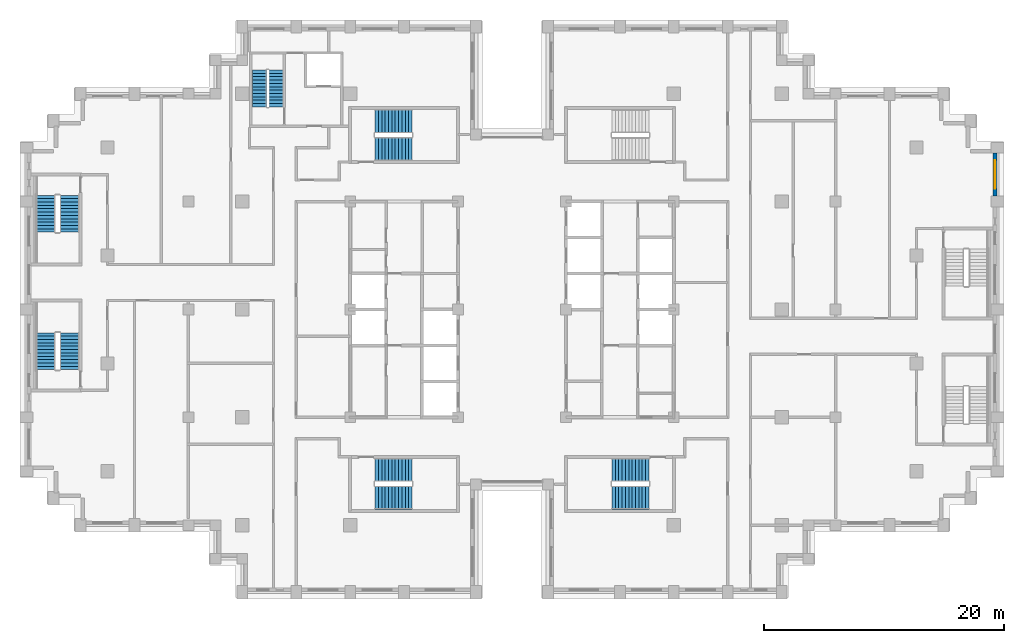
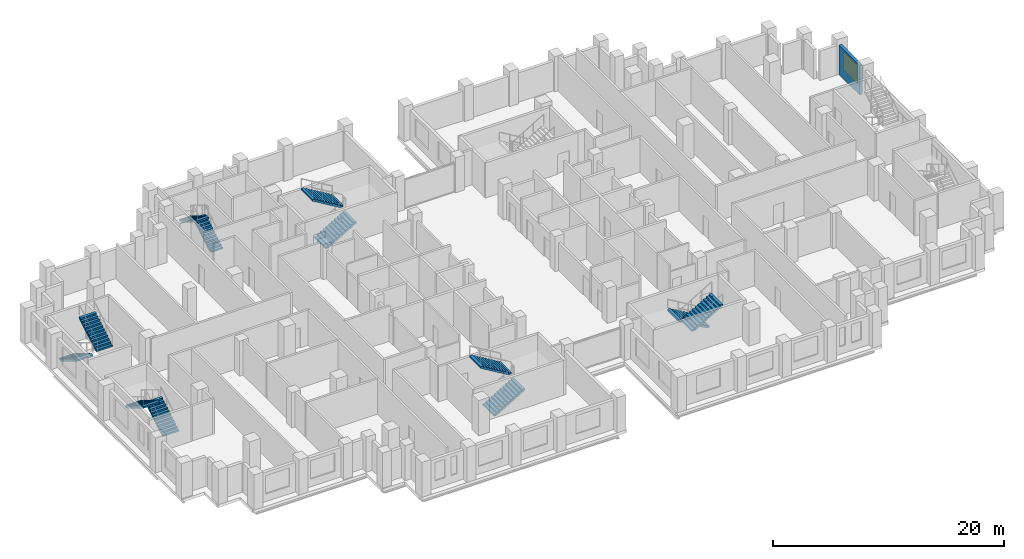
# One storey, part 13 of 16: 12 stair flights, 1 wall, 1 window, 1 opening, 6 elements without a shape of their own.
"""IFC4 building model written with IfcOpenShell, lengths in metres."""

from ifc_helpers import new_model, si_unit, direction, frame, frame_2d, origin, place, context, subcontext, project, spatial, polyline, rectangle, outline, extrude, material, layer, layer_set, type_object, element, fill, aggregate, save


model = new_model("IFC4")

# Units and contexts
model_context = context("Model", 3, precision=1e-05, world=origin(), true_north=direction((0.0, 1.0)))
body_context = subcontext(model_context, "Body", "Model", "MODEL_VIEW")
ifc_project = project(units=[si_unit("LENGTHUNIT", "METRE"), si_unit("AREAUNIT", "SQUARE_METRE"), si_unit("VOLUMEUNIT", "CUBIC_METRE"), si_unit("PLANEANGLEUNIT", "RADIAN"), si_unit("MASSUNIT", "GRAM", prefix="KILO")], contexts=[model_context])

# Site, building, storey
site_placement = place(None, origin())
site = spatial("IfcSite", under=ifc_project, at=site_placement, CompositionType="ELEMENT")
building_placement = place(site_placement, origin())
building = spatial("IfcBuilding", under=site, at=building_placement, Name="Corbelhall Arena Tower", CompositionType="ELEMENT")
storey_placement = place(building_placement, frame((0.0, 0.0, 150.0)))
storey = spatial("IfcBuildingStorey", under=building, at=storey_placement, Name="L29", CompositionType="ELEMENT", Elevation=150.0)

# Wall, opening, window
ifc_material_1 = material(Name="Precast concrete C40/50 with granite facing", Category="masonry")
ifc_layer = layer(ifc_material_1, 0.300048828125)
ifc_layer_set = layer_set([ifc_layer], Name="EV-IW1 Infill panel 300")
wall_type = type_object("IfcWallType", Name="EV-IW1 Infill panel 300", PredefinedType="SOLIDWALL", material=ifc_layer_set)
wall_placement = place(storey_placement, frame((40.300048828125, 9.449951171875, 0.0), z_axis=(0.0, 0.0, 1.0), x_axis=(0.0, 1.0, 0.0)))
wall = element("IfcWall", 1, at=wall_placement, inside=storey, type_object=wall_type, Name="Infill panel IW1", PredefinedType="SOLIDWALL", context=body_context, shape_type="SweptSolid", body=[
    extrude(rectangle(XDim=3.60009765625, YDim=0.300048828125, at=frame_2d((1.800048828125, 0.0))), origin(), (0.0, 0.0, 1.0), 3.10009765625),
])
opening_placement = place(wall_placement, frame((0.60009765625, 0.0, 0.800048828125)))
opening = element("IfcOpeningElement", 2, at=opening_placement, cuts=wall, Name="Opening WN1", PredefinedType="OPENING", context=body_context, shape_type="SweptSolid", body=[
    extrude(rectangle(XDim=2.39990234375, YDim=1.949951171875, at=frame_2d((1.199951171875, 0.97509765625))), frame((0.0, 0.14990234375, 0.0), z_axis=(0.0, -1.0, 0.0), x_axis=(1.0, 0.0, 0.0)), (0.0, 0.0, 1.0), 0.300048828125),
])
ifc_material_2 = material(Name="Aluminium black anodised", Category="aluminium")
window_type = type_object("IfcWindowType", Name="EV-WN1 Office window", PartitioningType="SINGLE_PANEL", PredefinedType="WINDOW", material=ifc_material_2)
window_placement = place(opening_placement, origin())
window = element("IfcWindow", 3, at=window_placement, inside=storey, type_object=window_type, Name="Window WN1", OverallHeight=1.949951171875, OverallWidth=2.39990234375, PartitioningType="SINGLE_PANEL", PredefinedType="WINDOW", context=body_context, shape_type="SweptSolid", body=[
    extrude(rectangle(XDim=2.39990234375, YDim=1.949951171875, at=frame_2d((1.199951171875, 0.97509765625))), frame((0.0, 0.030029296875, 0.0), z_axis=(0.0, -1.0, 0.0), x_axis=(1.0, 0.0, 0.0)), (0.0, 0.0, 1.0), 0.06005859375),
])
fill(opening, window)

# Stair, stair flights
ifc_material_3 = material(Name="Concrete C40/50", Category="concrete")
stair_type = type_object("IfcStairType", Name="IN-ST-TOWER", PredefinedType="HALF_TURN_STAIR", material=ifc_material_3)
stair_1_placement = place(storey_placement, origin())
stair_1 = element("IfcStair", 4, at=stair_1_placement, inside=storey, type_object=stair_type, Name="L29 Exit stair ST1", PredefinedType="HALF_TURN_STAIR")
stair_flight_type = type_object("IfcStairFlightType", Name="IN-SFL-RC", PredefinedType="STRAIGHT", material=ifc_material_3)
stair_flight_1_placement = place(storey_placement, frame((-11.425048828125, 13.39990234375, 0.0), z_axis=(0.0, 0.0, 1.0), x_axis=(1.0, 0.0, 0.0)))
stair_flight_1 = element("IfcStairFlight", 5, at=stair_flight_1_placement, type_object=stair_flight_type, Name="ST1 flight 1", NumberOfRisers=12, NumberOfTreads=11, PredefinedType="STRAIGHT", RiserHeight=0.166666667, TreadLength=0.28, context=body_context, shape_type="SweptSolid", body=[
    extrude(outline(polyline([(0.0, 0.0), (0.0, 0.166748046875), (0.280029296875, 0.166748046875), (0.280029296875, 0.333251953125), (0.56005859375, 0.333251953125), (0.56005859375, 0.5), (0.840087890625, 0.5), (0.840087890625, 0.666748046875), (1.1201171875, 0.666748046875), (1.1201171875, 0.833251953125), (1.39990234375, 0.833251953125), (1.39990234375, 1.0), (1.679931640625, 1.0), (1.679931640625, 1.166748046875), (1.9599609375, 1.166748046875), (1.9599609375, 1.333251953125), (2.239990234375, 1.333251953125), (2.239990234375, 1.5), (2.52001953125, 1.5), (2.52001953125, 1.666748046875), (2.800048828125, 1.666748046875), (2.800048828125, 1.833251953125), (3.080078125, 1.833251953125), (3.080078125, 2.0), (3.080078125, 1.658935546875), (0.29296875, 0.0), (0.0, 0.0)])), frame((0.0, 0.97509765625, 0.0), z_axis=(0.0, -1.0, 0.0), x_axis=(1.0, 0.0, 0.0)), (0.0, 0.0, 1.0), 0.449951171875),
    extrude(outline(polyline([(0.0, 0.0), (0.0, 0.166748046875), (0.280029296875, 0.166748046875), (0.280029296875, 0.333251953125), (0.56005859375, 0.333251953125), (0.56005859375, 0.5), (0.840087890625, 0.5), (0.840087890625, 0.666748046875), (1.1201171875, 0.666748046875), (1.1201171875, 0.833251953125), (1.39990234375, 0.833251953125), (1.39990234375, 1.0), (1.679931640625, 1.0), (1.679931640625, 1.166748046875), (1.9599609375, 1.166748046875), (1.9599609375, 1.333251953125), (2.239990234375, 1.333251953125), (2.239990234375, 1.5), (2.52001953125, 1.5), (2.52001953125, 1.666748046875), (2.800048828125, 1.666748046875), (2.800048828125, 1.833251953125), (3.080078125, 1.833251953125), (3.080078125, 2.0), (3.080078125, 1.658935546875), (0.29296875, 0.0), (0.0, 0.0)])), frame((0.0, 0.52099609375, 0.0), z_axis=(0.0, -1.0, 0.0), x_axis=(1.0, 0.0, 0.0)), (0.0, 0.0, 1.0), 1.0419921875),
    extrude(outline(polyline([(0.0, 0.0), (0.0, 0.166748046875), (0.280029296875, 0.166748046875), (0.280029296875, 0.333251953125), (0.56005859375, 0.333251953125), (0.56005859375, 0.5), (0.840087890625, 0.5), (0.840087890625, 0.666748046875), (1.1201171875, 0.666748046875), (1.1201171875, 0.833251953125), (1.39990234375, 0.833251953125), (1.39990234375, 1.0), (1.679931640625, 1.0), (1.679931640625, 1.166748046875), (1.9599609375, 1.166748046875), (1.9599609375, 1.333251953125), (2.239990234375, 1.333251953125), (2.239990234375, 1.5), (2.52001953125, 1.5), (2.52001953125, 1.666748046875), (2.800048828125, 1.666748046875), (2.800048828125, 1.833251953125), (3.080078125, 1.833251953125), (3.080078125, 2.0), (3.080078125, 1.658935546875), (0.29296875, 0.0), (0.0, 0.0)])), frame((0.0, -0.52490234375, 0.0), z_axis=(0.0, -1.0, 0.0), x_axis=(1.0, 0.0, 0.0)), (0.0, 0.0, 1.0), 0.449951171875),
])
stair_flight_2_placement = place(storey_placement, frame((-8.344970703125, 15.699951171875, 2.0), z_axis=(0.0, 0.0, 1.0), x_axis=(-1.0, 0.0, 0.0)))
stair_flight_2 = element("IfcStairFlight", 6, at=stair_flight_2_placement, type_object=stair_flight_type, Name="ST1 flight 2", NumberOfRisers=12, NumberOfTreads=11, PredefinedType="STRAIGHT", RiserHeight=0.166666667, TreadLength=0.28, context=body_context, shape_type="SweptSolid", body=[
    extrude(outline(polyline([(0.0, 0.0), (0.0, 0.166748046875), (0.280029296875, 0.166748046875), (0.280029296875, 0.333251953125), (0.56005859375, 0.333251953125), (0.56005859375, 0.5), (0.840087890625, 0.5), (0.840087890625, 0.666748046875), (1.1201171875, 0.666748046875), (1.1201171875, 0.833251953125), (1.39990234375, 0.833251953125), (1.39990234375, 1.0), (1.679931640625, 1.0), (1.679931640625, 1.166748046875), (1.9599609375, 1.166748046875), (1.9599609375, 1.333251953125), (2.239990234375, 1.333251953125), (2.239990234375, 1.5), (2.52001953125, 1.5), (2.52001953125, 1.666748046875), (2.800048828125, 1.666748046875), (2.800048828125, 1.833251953125), (3.080078125, 1.833251953125), (3.080078125, 2.0), (3.080078125, 1.658935546875), (0.29296875, 0.0), (0.0, 0.0)])), frame((0.0, 0.97509765625, 0.0), z_axis=(0.0, -1.0, 0.0), x_axis=(1.0, 0.0, 0.0)), (0.0, 0.0, 1.0), 0.449951171875),
    extrude(outline(polyline([(0.0, 0.0), (0.0, 0.166748046875), (0.280029296875, 0.166748046875), (0.280029296875, 0.333251953125), (0.56005859375, 0.333251953125), (0.56005859375, 0.5), (0.840087890625, 0.5), (0.840087890625, 0.666748046875), (1.1201171875, 0.666748046875), (1.1201171875, 0.833251953125), (1.39990234375, 0.833251953125), (1.39990234375, 1.0), (1.679931640625, 1.0), (1.679931640625, 1.166748046875), (1.9599609375, 1.166748046875), (1.9599609375, 1.333251953125), (2.239990234375, 1.333251953125), (2.239990234375, 1.5), (2.52001953125, 1.5), (2.52001953125, 1.666748046875), (2.800048828125, 1.666748046875), (2.800048828125, 1.833251953125), (3.080078125, 1.833251953125), (3.080078125, 2.0), (3.080078125, 1.658935546875), (0.29296875, 0.0), (0.0, 0.0)])), frame((0.0, 0.52099609375, 0.0), z_axis=(0.0, -1.0, 0.0), x_axis=(1.0, 0.0, 0.0)), (0.0, 0.0, 1.0), 1.0419921875),
    extrude(outline(polyline([(0.0, 0.0), (0.0, 0.166748046875), (0.280029296875, 0.166748046875), (0.280029296875, 0.333251953125), (0.56005859375, 0.333251953125), (0.56005859375, 0.5), (0.840087890625, 0.5), (0.840087890625, 0.666748046875), (1.1201171875, 0.666748046875), (1.1201171875, 0.833251953125), (1.39990234375, 0.833251953125), (1.39990234375, 1.0), (1.679931640625, 1.0), (1.679931640625, 1.166748046875), (1.9599609375, 1.166748046875), (1.9599609375, 1.333251953125), (2.239990234375, 1.333251953125), (2.239990234375, 1.5), (2.52001953125, 1.5), (2.52001953125, 1.666748046875), (2.800048828125, 1.666748046875), (2.800048828125, 1.833251953125), (3.080078125, 1.833251953125), (3.080078125, 2.0), (3.080078125, 1.658935546875), (0.29296875, 0.0), (0.0, 0.0)])), frame((0.0, -0.52490234375, 0.0), z_axis=(0.0, -1.0, 0.0), x_axis=(1.0, 0.0, 0.0)), (0.0, 0.0, 1.0), 0.449951171875),
])
aggregate(stair_1, [stair_flight_1, stair_flight_2])

stair_2_placement = place(storey_placement, origin())
stair_2 = element("IfcStair", 7, at=stair_2_placement, inside=storey, type_object=stair_type, Name="L29 Exit stair ST2", PredefinedType="HALF_TURN_STAIR")
stair_flight_3_placement = place(storey_placement, frame((-11.425048828125, -15.699951171875, 0.0), z_axis=(0.0, 0.0, 1.0), x_axis=(1.0, 0.0, 0.0)))
stair_flight_3 = element("IfcStairFlight", 8, at=stair_flight_3_placement, type_object=stair_flight_type, Name="ST2 flight 1", NumberOfRisers=12, NumberOfTreads=11, PredefinedType="STRAIGHT", RiserHeight=0.166666667, TreadLength=0.28, context=body_context, shape_type="SweptSolid", body=[
    extrude(outline(polyline([(0.0, 0.0), (0.0, 0.166748046875), (0.280029296875, 0.166748046875), (0.280029296875, 0.333251953125), (0.56005859375, 0.333251953125), (0.56005859375, 0.5), (0.840087890625, 0.5), (0.840087890625, 0.666748046875), (1.1201171875, 0.666748046875), (1.1201171875, 0.833251953125), (1.39990234375, 0.833251953125), (1.39990234375, 1.0), (1.679931640625, 1.0), (1.679931640625, 1.166748046875), (1.9599609375, 1.166748046875), (1.9599609375, 1.333251953125), (2.239990234375, 1.333251953125), (2.239990234375, 1.5), (2.52001953125, 1.5), (2.52001953125, 1.666748046875), (2.800048828125, 1.666748046875), (2.800048828125, 1.833251953125), (3.080078125, 1.833251953125), (3.080078125, 2.0), (3.080078125, 1.658935546875), (0.29296875, 0.0), (0.0, 0.0)])), frame((0.0, 0.97509765625, 0.0), z_axis=(0.0, -1.0, 0.0), x_axis=(1.0, 0.0, 0.0)), (0.0, 0.0, 1.0), 0.449951171875),
    extrude(outline(polyline([(0.0, 0.0), (0.0, 0.166748046875), (0.280029296875, 0.166748046875), (0.280029296875, 0.333251953125), (0.56005859375, 0.333251953125), (0.56005859375, 0.5), (0.840087890625, 0.5), (0.840087890625, 0.666748046875), (1.1201171875, 0.666748046875), (1.1201171875, 0.833251953125), (1.39990234375, 0.833251953125), (1.39990234375, 1.0), (1.679931640625, 1.0), (1.679931640625, 1.166748046875), (1.9599609375, 1.166748046875), (1.9599609375, 1.333251953125), (2.239990234375, 1.333251953125), (2.239990234375, 1.5), (2.52001953125, 1.5), (2.52001953125, 1.666748046875), (2.800048828125, 1.666748046875), (2.800048828125, 1.833251953125), (3.080078125, 1.833251953125), (3.080078125, 2.0), (3.080078125, 1.658935546875), (0.29296875, 0.0), (0.0, 0.0)])), frame((0.0, 0.52099609375, 0.0), z_axis=(0.0, -1.0, 0.0), x_axis=(1.0, 0.0, 0.0)), (0.0, 0.0, 1.0), 1.0419921875),
    extrude(outline(polyline([(0.0, 0.0), (0.0, 0.166748046875), (0.280029296875, 0.166748046875), (0.280029296875, 0.333251953125), (0.56005859375, 0.333251953125), (0.56005859375, 0.5), (0.840087890625, 0.5), (0.840087890625, 0.666748046875), (1.1201171875, 0.666748046875), (1.1201171875, 0.833251953125), (1.39990234375, 0.833251953125), (1.39990234375, 1.0), (1.679931640625, 1.0), (1.679931640625, 1.166748046875), (1.9599609375, 1.166748046875), (1.9599609375, 1.333251953125), (2.239990234375, 1.333251953125), (2.239990234375, 1.5), (2.52001953125, 1.5), (2.52001953125, 1.666748046875), (2.800048828125, 1.666748046875), (2.800048828125, 1.833251953125), (3.080078125, 1.833251953125), (3.080078125, 2.0), (3.080078125, 1.658935546875), (0.29296875, 0.0), (0.0, 0.0)])), frame((0.0, -0.52490234375, 0.0), z_axis=(0.0, -1.0, 0.0), x_axis=(1.0, 0.0, 0.0)), (0.0, 0.0, 1.0), 0.449951171875),
])
stair_flight_4_placement = place(storey_placement, frame((-8.344970703125, -13.39990234375, 2.0), z_axis=(0.0, 0.0, 1.0), x_axis=(-1.0, 0.0, 0.0)))
stair_flight_4 = element("IfcStairFlight", 9, at=stair_flight_4_placement, type_object=stair_flight_type, Name="ST2 flight 2", NumberOfRisers=12, NumberOfTreads=11, PredefinedType="STRAIGHT", RiserHeight=0.166666667, TreadLength=0.28, context=body_context, shape_type="SweptSolid", body=[
    extrude(outline(polyline([(0.0, 0.0), (0.0, 0.166748046875), (0.280029296875, 0.166748046875), (0.280029296875, 0.333251953125), (0.56005859375, 0.333251953125), (0.56005859375, 0.5), (0.840087890625, 0.5), (0.840087890625, 0.666748046875), (1.1201171875, 0.666748046875), (1.1201171875, 0.833251953125), (1.39990234375, 0.833251953125), (1.39990234375, 1.0), (1.679931640625, 1.0), (1.679931640625, 1.166748046875), (1.9599609375, 1.166748046875), (1.9599609375, 1.333251953125), (2.239990234375, 1.333251953125), (2.239990234375, 1.5), (2.52001953125, 1.5), (2.52001953125, 1.666748046875), (2.800048828125, 1.666748046875), (2.800048828125, 1.833251953125), (3.080078125, 1.833251953125), (3.080078125, 2.0), (3.080078125, 1.658935546875), (0.29296875, 0.0), (0.0, 0.0)])), frame((0.0, 0.97509765625, 0.0), z_axis=(0.0, -1.0, 0.0), x_axis=(1.0, 0.0, 0.0)), (0.0, 0.0, 1.0), 0.449951171875),
    extrude(outline(polyline([(0.0, 0.0), (0.0, 0.166748046875), (0.280029296875, 0.166748046875), (0.280029296875, 0.333251953125), (0.56005859375, 0.333251953125), (0.56005859375, 0.5), (0.840087890625, 0.5), (0.840087890625, 0.666748046875), (1.1201171875, 0.666748046875), (1.1201171875, 0.833251953125), (1.39990234375, 0.833251953125), (1.39990234375, 1.0), (1.679931640625, 1.0), (1.679931640625, 1.166748046875), (1.9599609375, 1.166748046875), (1.9599609375, 1.333251953125), (2.239990234375, 1.333251953125), (2.239990234375, 1.5), (2.52001953125, 1.5), (2.52001953125, 1.666748046875), (2.800048828125, 1.666748046875), (2.800048828125, 1.833251953125), (3.080078125, 1.833251953125), (3.080078125, 2.0), (3.080078125, 1.658935546875), (0.29296875, 0.0), (0.0, 0.0)])), frame((0.0, 0.52099609375, 0.0), z_axis=(0.0, -1.0, 0.0), x_axis=(1.0, 0.0, 0.0)), (0.0, 0.0, 1.0), 1.0419921875),
    extrude(outline(polyline([(0.0, 0.0), (0.0, 0.166748046875), (0.280029296875, 0.166748046875), (0.280029296875, 0.333251953125), (0.56005859375, 0.333251953125), (0.56005859375, 0.5), (0.840087890625, 0.5), (0.840087890625, 0.666748046875), (1.1201171875, 0.666748046875), (1.1201171875, 0.833251953125), (1.39990234375, 0.833251953125), (1.39990234375, 1.0), (1.679931640625, 1.0), (1.679931640625, 1.166748046875), (1.9599609375, 1.166748046875), (1.9599609375, 1.333251953125), (2.239990234375, 1.333251953125), (2.239990234375, 1.5), (2.52001953125, 1.5), (2.52001953125, 1.666748046875), (2.800048828125, 1.666748046875), (2.800048828125, 1.833251953125), (3.080078125, 1.833251953125), (3.080078125, 2.0), (3.080078125, 1.658935546875), (0.29296875, 0.0), (0.0, 0.0)])), frame((0.0, -0.52490234375, 0.0), z_axis=(0.0, -1.0, 0.0), x_axis=(1.0, 0.0, 0.0)), (0.0, 0.0, 1.0), 0.449951171875),
])
aggregate(stair_2, [stair_flight_3, stair_flight_4])

stair_3_placement = place(storey_placement, origin())
stair_3 = element("IfcStair", 10, at=stair_3_placement, inside=storey, type_object=stair_type, Name="L29 Exit stair ST4", PredefinedType="HALF_TURN_STAIR")
stair_flight_5_placement = place(storey_placement, frame((11.425048828125, -13.39990234375, 0.0), z_axis=(0.0, 0.0, 1.0), x_axis=(-1.0, 0.0, 0.0)))
stair_flight_5 = element("IfcStairFlight", 11, at=stair_flight_5_placement, type_object=stair_flight_type, Name="ST4 flight 1", NumberOfRisers=12, NumberOfTreads=11, PredefinedType="STRAIGHT", RiserHeight=0.166666667, TreadLength=0.28, context=body_context, shape_type="SweptSolid", body=[
    extrude(outline(polyline([(0.0, 0.0), (0.0, 0.166748046875), (0.280029296875, 0.166748046875), (0.280029296875, 0.333251953125), (0.56005859375, 0.333251953125), (0.56005859375, 0.5), (0.840087890625, 0.5), (0.840087890625, 0.666748046875), (1.1201171875, 0.666748046875), (1.1201171875, 0.833251953125), (1.39990234375, 0.833251953125), (1.39990234375, 1.0), (1.679931640625, 1.0), (1.679931640625, 1.166748046875), (1.9599609375, 1.166748046875), (1.9599609375, 1.333251953125), (2.239990234375, 1.333251953125), (2.239990234375, 1.5), (2.52001953125, 1.5), (2.52001953125, 1.666748046875), (2.800048828125, 1.666748046875), (2.800048828125, 1.833251953125), (3.080078125, 1.833251953125), (3.080078125, 2.0), (3.080078125, 1.658935546875), (0.29296875, 0.0), (0.0, 0.0)])), frame((0.0, 0.97509765625, 0.0), z_axis=(0.0, -1.0, 0.0), x_axis=(1.0, 0.0, 0.0)), (0.0, 0.0, 1.0), 0.449951171875),
    extrude(outline(polyline([(0.0, 0.0), (0.0, 0.166748046875), (0.280029296875, 0.166748046875), (0.280029296875, 0.333251953125), (0.56005859375, 0.333251953125), (0.56005859375, 0.5), (0.840087890625, 0.5), (0.840087890625, 0.666748046875), (1.1201171875, 0.666748046875), (1.1201171875, 0.833251953125), (1.39990234375, 0.833251953125), (1.39990234375, 1.0), (1.679931640625, 1.0), (1.679931640625, 1.166748046875), (1.9599609375, 1.166748046875), (1.9599609375, 1.333251953125), (2.239990234375, 1.333251953125), (2.239990234375, 1.5), (2.52001953125, 1.5), (2.52001953125, 1.666748046875), (2.800048828125, 1.666748046875), (2.800048828125, 1.833251953125), (3.080078125, 1.833251953125), (3.080078125, 2.0), (3.080078125, 1.658935546875), (0.29296875, 0.0), (0.0, 0.0)])), frame((0.0, 0.52099609375, 0.0), z_axis=(0.0, -1.0, 0.0), x_axis=(1.0, 0.0, 0.0)), (0.0, 0.0, 1.0), 1.0419921875),
    extrude(outline(polyline([(0.0, 0.0), (0.0, 0.166748046875), (0.280029296875, 0.166748046875), (0.280029296875, 0.333251953125), (0.56005859375, 0.333251953125), (0.56005859375, 0.5), (0.840087890625, 0.5), (0.840087890625, 0.666748046875), (1.1201171875, 0.666748046875), (1.1201171875, 0.833251953125), (1.39990234375, 0.833251953125), (1.39990234375, 1.0), (1.679931640625, 1.0), (1.679931640625, 1.166748046875), (1.9599609375, 1.166748046875), (1.9599609375, 1.333251953125), (2.239990234375, 1.333251953125), (2.239990234375, 1.5), (2.52001953125, 1.5), (2.52001953125, 1.666748046875), (2.800048828125, 1.666748046875), (2.800048828125, 1.833251953125), (3.080078125, 1.833251953125), (3.080078125, 2.0), (3.080078125, 1.658935546875), (0.29296875, 0.0), (0.0, 0.0)])), frame((0.0, -0.52490234375, 0.0), z_axis=(0.0, -1.0, 0.0), x_axis=(1.0, 0.0, 0.0)), (0.0, 0.0, 1.0), 0.449951171875),
])
stair_flight_6_placement = place(storey_placement, frame((8.344970703125, -15.699951171875, 2.0), z_axis=(0.0, 0.0, 1.0), x_axis=(1.0, 0.0, 0.0)))
stair_flight_6 = element("IfcStairFlight", 12, at=stair_flight_6_placement, type_object=stair_flight_type, Name="ST4 flight 2", NumberOfRisers=12, NumberOfTreads=11, PredefinedType="STRAIGHT", RiserHeight=0.166666667, TreadLength=0.28, context=body_context, shape_type="SweptSolid", body=[
    extrude(outline(polyline([(0.0, 0.0), (0.0, 0.166748046875), (0.280029296875, 0.166748046875), (0.280029296875, 0.333251953125), (0.56005859375, 0.333251953125), (0.56005859375, 0.5), (0.840087890625, 0.5), (0.840087890625, 0.666748046875), (1.1201171875, 0.666748046875), (1.1201171875, 0.833251953125), (1.39990234375, 0.833251953125), (1.39990234375, 1.0), (1.679931640625, 1.0), (1.679931640625, 1.166748046875), (1.9599609375, 1.166748046875), (1.9599609375, 1.333251953125), (2.239990234375, 1.333251953125), (2.239990234375, 1.5), (2.52001953125, 1.5), (2.52001953125, 1.666748046875), (2.800048828125, 1.666748046875), (2.800048828125, 1.833251953125), (3.080078125, 1.833251953125), (3.080078125, 2.0), (3.080078125, 1.658935546875), (0.29296875, 0.0), (0.0, 0.0)])), frame((0.0, 0.97509765625, 0.0), z_axis=(0.0, -1.0, 0.0), x_axis=(1.0, 0.0, 0.0)), (0.0, 0.0, 1.0), 0.449951171875),
    extrude(outline(polyline([(0.0, 0.0), (0.0, 0.166748046875), (0.280029296875, 0.166748046875), (0.280029296875, 0.333251953125), (0.56005859375, 0.333251953125), (0.56005859375, 0.5), (0.840087890625, 0.5), (0.840087890625, 0.666748046875), (1.1201171875, 0.666748046875), (1.1201171875, 0.833251953125), (1.39990234375, 0.833251953125), (1.39990234375, 1.0), (1.679931640625, 1.0), (1.679931640625, 1.166748046875), (1.9599609375, 1.166748046875), (1.9599609375, 1.333251953125), (2.239990234375, 1.333251953125), (2.239990234375, 1.5), (2.52001953125, 1.5), (2.52001953125, 1.666748046875), (2.800048828125, 1.666748046875), (2.800048828125, 1.833251953125), (3.080078125, 1.833251953125), (3.080078125, 2.0), (3.080078125, 1.658935546875), (0.29296875, 0.0), (0.0, 0.0)])), frame((0.0, 0.52099609375, 0.0), z_axis=(0.0, -1.0, 0.0), x_axis=(1.0, 0.0, 0.0)), (0.0, 0.0, 1.0), 1.0419921875),
    extrude(outline(polyline([(0.0, 0.0), (0.0, 0.166748046875), (0.280029296875, 0.166748046875), (0.280029296875, 0.333251953125), (0.56005859375, 0.333251953125), (0.56005859375, 0.5), (0.840087890625, 0.5), (0.840087890625, 0.666748046875), (1.1201171875, 0.666748046875), (1.1201171875, 0.833251953125), (1.39990234375, 0.833251953125), (1.39990234375, 1.0), (1.679931640625, 1.0), (1.679931640625, 1.166748046875), (1.9599609375, 1.166748046875), (1.9599609375, 1.333251953125), (2.239990234375, 1.333251953125), (2.239990234375, 1.5), (2.52001953125, 1.5), (2.52001953125, 1.666748046875), (2.800048828125, 1.666748046875), (2.800048828125, 1.833251953125), (3.080078125, 1.833251953125), (3.080078125, 2.0), (3.080078125, 1.658935546875), (0.29296875, 0.0), (0.0, 0.0)])), frame((0.0, -0.52490234375, 0.0), z_axis=(0.0, -1.0, 0.0), x_axis=(1.0, 0.0, 0.0)), (0.0, 0.0, 1.0), 0.449951171875),
])
aggregate(stair_3, [stair_flight_5, stair_flight_6])

stair_4_placement = place(storey_placement, origin())
stair_4 = element("IfcStair", 13, at=stair_4_placement, inside=storey, type_object=stair_type, Name="L29 Exit stair SC1", PredefinedType="HALF_TURN_STAIR")
stair_flight_7_placement = place(storey_placement, frame((-38.89990234375, 9.52490234375, 0.0), z_axis=(0.0, 0.0, 1.0), x_axis=(0.0, -1.0, 0.0)))
stair_flight_7 = element("IfcStairFlight", 14, at=stair_flight_7_placement, type_object=stair_flight_type, Name="SC1 flight 1", NumberOfRisers=12, NumberOfTreads=11, PredefinedType="STRAIGHT", RiserHeight=0.166666667, TreadLength=0.28, context=body_context, shape_type="SweptSolid", body=[
    extrude(outline(polyline([(0.0, 0.0), (0.0, 0.166748046875), (0.280029296875, 0.166748046875), (0.280029296875, 0.333251953125), (0.56005859375, 0.333251953125), (0.56005859375, 0.5), (0.840087890625, 0.5), (0.840087890625, 0.666748046875), (1.1201171875, 0.666748046875), (1.1201171875, 0.833251953125), (1.39990234375, 0.833251953125), (1.39990234375, 1.0), (1.679931640625, 1.0), (1.679931640625, 1.166748046875), (1.9599609375, 1.166748046875), (1.9599609375, 1.333251953125), (2.239990234375, 1.333251953125), (2.239990234375, 1.5), (2.52001953125, 1.5), (2.52001953125, 1.666748046875), (2.800048828125, 1.666748046875), (2.800048828125, 1.833251953125), (3.080078125, 1.833251953125), (3.080078125, 2.0), (3.080078125, 1.658935546875), (0.29296875, 0.0), (0.0, 0.0)])), frame((0.0, 0.800048828125, 0.0), z_axis=(0.0, -1.0, 0.0), x_axis=(1.0, 0.0, 0.0)), (0.0, 0.0, 1.0), 1.60009765625),
])
stair_flight_8_placement = place(storey_placement, frame((-36.925048828125, 6.445068359375, 2.0), z_axis=(0.0, 0.0, 1.0), x_axis=(0.0, 1.0, 0.0)))
stair_flight_8 = element("IfcStairFlight", 15, at=stair_flight_8_placement, type_object=stair_flight_type, Name="SC1 flight 2", NumberOfRisers=12, NumberOfTreads=11, PredefinedType="STRAIGHT", RiserHeight=0.166666667, TreadLength=0.28, context=body_context, shape_type="SweptSolid", body=[
    extrude(outline(polyline([(0.0, 0.0), (0.0, 0.166748046875), (0.280029296875, 0.166748046875), (0.280029296875, 0.333251953125), (0.56005859375, 0.333251953125), (0.56005859375, 0.5), (0.840087890625, 0.5), (0.840087890625, 0.666748046875), (1.1201171875, 0.666748046875), (1.1201171875, 0.833251953125), (1.39990234375, 0.833251953125), (1.39990234375, 1.0), (1.679931640625, 1.0), (1.679931640625, 1.166748046875), (1.9599609375, 1.166748046875), (1.9599609375, 1.333251953125), (2.239990234375, 1.333251953125), (2.239990234375, 1.5), (2.52001953125, 1.5), (2.52001953125, 1.666748046875), (2.800048828125, 1.666748046875), (2.800048828125, 1.833251953125), (3.080078125, 1.833251953125), (3.080078125, 2.0), (3.080078125, 1.658935546875), (0.29296875, 0.0), (0.0, 0.0)])), frame((0.0, 0.800048828125, 0.0), z_axis=(0.0, -1.0, 0.0), x_axis=(1.0, 0.0, 0.0)), (0.0, 0.0, 1.0), 1.60009765625),
])
aggregate(stair_4, [stair_flight_7, stair_flight_8])

stair_5_placement = place(storey_placement, origin())
stair_5 = element("IfcStair", 16, at=stair_5_placement, inside=storey, type_object=stair_type, Name="L29 Exit stair SC2", PredefinedType="HALF_TURN_STAIR")
stair_flight_9_placement = place(storey_placement, frame((-36.925048828125, -5.02490234375, 0.0), z_axis=(0.0, 0.0, 1.0), x_axis=(0.0, 1.0, 0.0)))
stair_flight_9 = element("IfcStairFlight", 17, at=stair_flight_9_placement, type_object=stair_flight_type, Name="SC2 flight 1", NumberOfRisers=12, NumberOfTreads=11, PredefinedType="STRAIGHT", RiserHeight=0.166666667, TreadLength=0.28, context=body_context, shape_type="SweptSolid", body=[
    extrude(outline(polyline([(0.0, 0.0), (0.0, 0.166748046875), (0.280029296875, 0.166748046875), (0.280029296875, 0.333251953125), (0.56005859375, 0.333251953125), (0.56005859375, 0.5), (0.840087890625, 0.5), (0.840087890625, 0.666748046875), (1.1201171875, 0.666748046875), (1.1201171875, 0.833251953125), (1.39990234375, 0.833251953125), (1.39990234375, 1.0), (1.679931640625, 1.0), (1.679931640625, 1.166748046875), (1.9599609375, 1.166748046875), (1.9599609375, 1.333251953125), (2.239990234375, 1.333251953125), (2.239990234375, 1.5), (2.52001953125, 1.5), (2.52001953125, 1.666748046875), (2.800048828125, 1.666748046875), (2.800048828125, 1.833251953125), (3.080078125, 1.833251953125), (3.080078125, 2.0), (3.080078125, 1.658935546875), (0.29296875, 0.0), (0.0, 0.0)])), frame((0.0, 0.800048828125, 0.0), z_axis=(0.0, -1.0, 0.0), x_axis=(1.0, 0.0, 0.0)), (0.0, 0.0, 1.0), 1.60009765625),
])
stair_flight_10_placement = place(storey_placement, frame((-38.89990234375, -1.945068359375, 2.0), z_axis=(0.0, 0.0, 1.0), x_axis=(0.0, -1.0, 0.0)))
stair_flight_10 = element("IfcStairFlight", 18, at=stair_flight_10_placement, type_object=stair_flight_type, Name="SC2 flight 2", NumberOfRisers=12, NumberOfTreads=11, PredefinedType="STRAIGHT", RiserHeight=0.166666667, TreadLength=0.28, context=body_context, shape_type="SweptSolid", body=[
    extrude(outline(polyline([(0.0, 0.0), (0.0, 0.166748046875), (0.280029296875, 0.166748046875), (0.280029296875, 0.333251953125), (0.56005859375, 0.333251953125), (0.56005859375, 0.5), (0.840087890625, 0.5), (0.840087890625, 0.666748046875), (1.1201171875, 0.666748046875), (1.1201171875, 0.833251953125), (1.39990234375, 0.833251953125), (1.39990234375, 1.0), (1.679931640625, 1.0), (1.679931640625, 1.166748046875), (1.9599609375, 1.166748046875), (1.9599609375, 1.333251953125), (2.239990234375, 1.333251953125), (2.239990234375, 1.5), (2.52001953125, 1.5), (2.52001953125, 1.666748046875), (2.800048828125, 1.666748046875), (2.800048828125, 1.833251953125), (3.080078125, 1.833251953125), (3.080078125, 2.0), (3.080078125, 1.658935546875), (0.29296875, 0.0), (0.0, 0.0)])), frame((0.0, 0.800048828125, 0.0), z_axis=(0.0, -1.0, 0.0), x_axis=(1.0, 0.0, 0.0)), (0.0, 0.0, 1.0), 1.60009765625),
])
aggregate(stair_5, [stair_flight_9, stair_flight_10])

stair_6_placement = place(storey_placement, origin())
stair_6 = element("IfcStair", 19, at=stair_6_placement, inside=storey, type_object=stair_type, Name="L29 Exit stair ST5", PredefinedType="HALF_TURN_STAIR")
stair_flight_11_placement = place(storey_placement, frame((-19.695068359375, 16.89990234375, 0.0), z_axis=(0.0, 0.0, 1.0), x_axis=(0.0, 1.0, 0.0)))
stair_flight_11 = element("IfcStairFlight", 20, at=stair_flight_11_placement, type_object=stair_flight_type, Name="ST5 flight 1", NumberOfRisers=12, NumberOfTreads=11, PredefinedType="STRAIGHT", RiserHeight=0.166666667, TreadLength=0.28, context=body_context, shape_type="SweptSolid", body=[
    extrude(outline(polyline([(0.0, 0.0), (0.0, 0.166748046875), (0.280029296875, 0.166748046875), (0.280029296875, 0.333251953125), (0.56005859375, 0.333251953125), (0.56005859375, 0.5), (0.840087890625, 0.5), (0.840087890625, 0.666748046875), (1.1201171875, 0.666748046875), (1.1201171875, 0.833251953125), (1.39990234375, 0.833251953125), (1.39990234375, 1.0), (1.679931640625, 1.0), (1.679931640625, 1.166748046875), (1.9599609375, 1.166748046875), (1.9599609375, 1.333251953125), (2.239990234375, 1.333251953125), (2.239990234375, 1.5), (2.52001953125, 1.5), (2.52001953125, 1.666748046875), (2.800048828125, 1.666748046875), (2.800048828125, 1.833251953125), (3.080078125, 1.833251953125), (3.080078125, 2.0), (3.080078125, 1.658935546875), (0.29296875, 0.0), (0.0, 0.0)])), frame((0.0, 0.60009765625, 0.0), z_axis=(0.0, -1.0, 0.0), x_axis=(1.0, 0.0, 0.0)), (0.0, 0.0, 1.0), 1.199951171875),
])
stair_flight_12_placement = place(storey_placement, frame((-21.094970703125, 19.97998046875, 2.0), z_axis=(0.0, 0.0, 1.0), x_axis=(0.0, -1.0, 0.0)))
stair_flight_12 = element("IfcStairFlight", 21, at=stair_flight_12_placement, type_object=stair_flight_type, Name="ST5 flight 2", NumberOfRisers=12, NumberOfTreads=11, PredefinedType="STRAIGHT", RiserHeight=0.166666667, TreadLength=0.28, context=body_context, shape_type="SweptSolid", body=[
    extrude(outline(polyline([(0.0, 0.0), (0.0, 0.166748046875), (0.280029296875, 0.166748046875), (0.280029296875, 0.333251953125), (0.56005859375, 0.333251953125), (0.56005859375, 0.5), (0.840087890625, 0.5), (0.840087890625, 0.666748046875), (1.1201171875, 0.666748046875), (1.1201171875, 0.833251953125), (1.39990234375, 0.833251953125), (1.39990234375, 1.0), (1.679931640625, 1.0), (1.679931640625, 1.166748046875), (1.9599609375, 1.166748046875), (1.9599609375, 1.333251953125), (2.239990234375, 1.333251953125), (2.239990234375, 1.5), (2.52001953125, 1.5), (2.52001953125, 1.666748046875), (2.800048828125, 1.666748046875), (2.800048828125, 1.833251953125), (3.080078125, 1.833251953125), (3.080078125, 2.0), (3.080078125, 1.658935546875), (0.29296875, 0.0), (0.0, 0.0)])), frame((0.0, 0.60009765625, 0.0), z_axis=(0.0, -1.0, 0.0), x_axis=(1.0, 0.0, 0.0)), (0.0, 0.0, 1.0), 1.199951171875),
])
aggregate(stair_6, [stair_flight_11, stair_flight_12])

save(model, "model.ifc")
